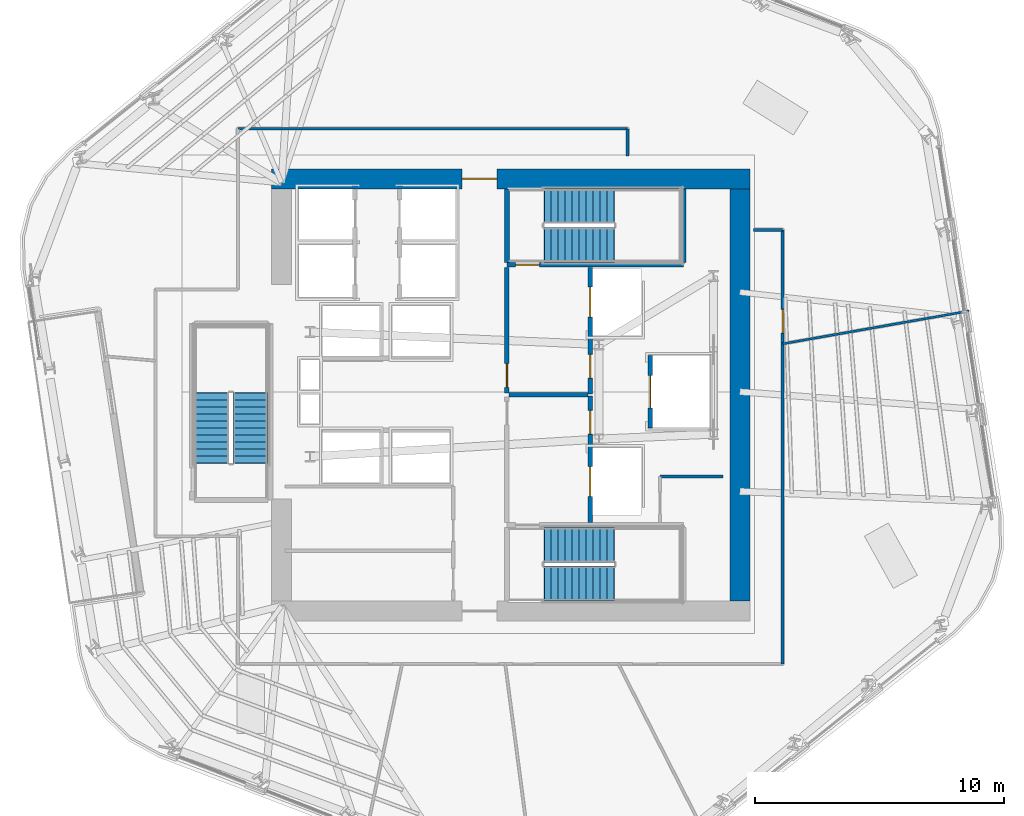
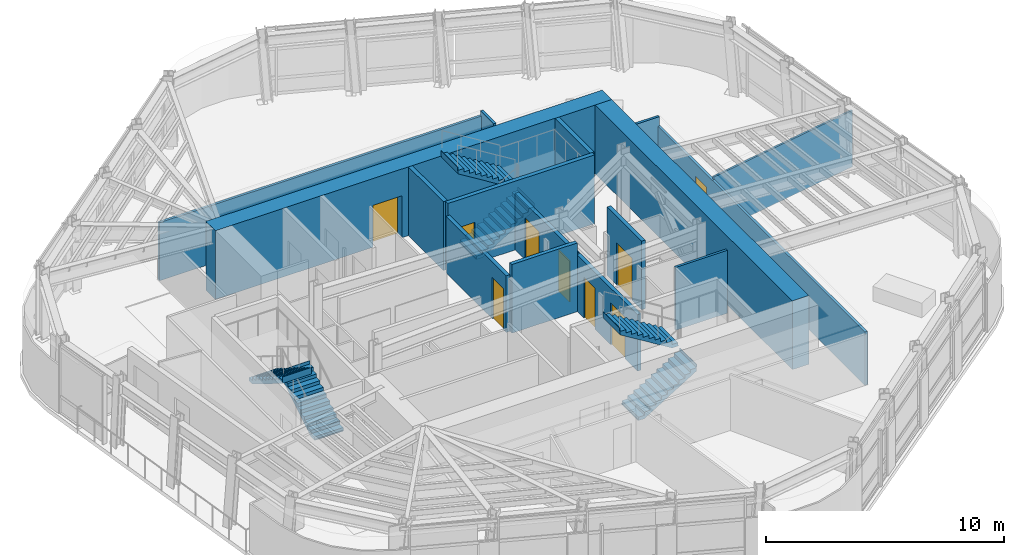
# One storey, part 9 of 15: 16 walls, 9 doors, 6 stair flights, 9 openings, 3 elements without a shape of their own.
"""IFC4 building model written with IfcOpenShell, lengths in metres."""

from ifc_helpers import new_model, si_unit, direction, frame, frame_2d, origin, place, context, subcontext, project, spatial, polyline, rectangle, outline, extrude, material, layer, layer_set, type_object, element, fill, aggregate, save


model = new_model("IFC4")

# Units and contexts
model_context = context("Model", 3, precision=1e-05, world=origin(), true_north=direction((0.0, 1.0)))
body_context = subcontext(model_context, "Body", "Model", "MODEL_VIEW")
ifc_project = project(units=[si_unit("LENGTHUNIT", "METRE"), si_unit("AREAUNIT", "SQUARE_METRE"), si_unit("VOLUMEUNIT", "CUBIC_METRE"), si_unit("PLANEANGLEUNIT", "RADIAN"), si_unit("MASSUNIT", "GRAM", prefix="KILO")], contexts=[model_context])

# Site, building, storey
site_placement = place(None, origin())
site = spatial("IfcSite", under=ifc_project, at=site_placement, CompositionType="ELEMENT")
building_placement = place(site_placement, origin())
building = spatial("IfcBuilding", under=site, at=building_placement, Name="Valkerne Bourse Tower", CompositionType="ELEMENT")
storey_placement = place(building_placement, frame((0.0, 0.0, 189.39990234375)))
storey = spatial("IfcBuildingStorey", under=building, at=storey_placement, Name="L48", CompositionType="ELEMENT", Elevation=189.39990234375)

# Wall, opening, door
ifc_material_1 = material(Name="Concrete C55/67", Category="concrete")
ifc_layer_1 = layer(ifc_material_1, 0.800048828125)
ifc_layer_set_1 = layer_set([ifc_layer_1], Name="Concrete C55/67")
wall_type_1 = type_object("IfcWallType", Name="W-CORE-800", PredefinedType="SHEAR", material=ifc_layer_set_1)
wall_1_placement = place(storey_placement, frame((37.199951171875, 35.550048828125, 0.0), z_axis=(0.0, 0.0, 1.0), x_axis=(1.0, 0.0, 0.0)))
wall_1 = element("IfcWall", 1, at=wall_1_placement, inside=storey, type_object=wall_type_1, Name="L48 Core Shear Wall NORTH", PredefinedType="SHEAR", context=body_context, shape_type="SweptSolid", body=[
    extrude(rectangle(XDim=19.199951171875, YDim=0.800048828125, at=frame_2d((9.60009765625, 0.0))), origin(), (0.0, 0.0, 1.0), 3.52001953125),
])
opening_1_placement = place(wall_1_placement, frame((7.64990234375, 0.0, 0.0)))
opening_1 = element("IfcOpeningElement", 2, at=opening_1_placement, cuts=wall_1, Name="Opening D-PL-1400", PredefinedType="OPENING", context=body_context, shape_type="SweptSolid", body=[
    extrude(rectangle(XDim=1.39990234375, YDim=2.14990234375, at=frame_2d((0.699951171875, 1.074951171875))), frame((0.0, 0.409912109375, 0.0), z_axis=(0.0, -1.0, 0.0), x_axis=(1.0, 0.0, 0.0)), (0.0, 0.0, 1.0), 0.820068359375),
])
ifc_material_2 = material(Name="Galvanised Painted Steel", Category="steel")
door_type_1 = type_object("IfcDoorType", Name="DR-PLT-1400", OperationType="DOUBLE_DOOR_SINGLE_SWING", PredefinedType="DOOR", material=ifc_material_2)
door_1_placement = place(opening_1_placement, origin())
door_1 = element("IfcDoor", 3, at=door_1_placement, inside=storey, type_object=door_type_1, Name="L48 North Passenger Lift Hall Fire Door", OperationType="DOUBLE_DOOR_SINGLE_SWING", OverallHeight=2.14990234375, OverallWidth=1.39990234375, PredefinedType="DOOR", context=body_context, shape_type="SweptSolid", body=[
    extrude(rectangle(XDim=1.39990234375, YDim=2.14990234375, at=frame_2d((0.699951171875, 1.074951171875))), frame((0.0, 0.02490234375, 0.0), z_axis=(0.0, -1.0, 0.0), x_axis=(1.0, 0.0, 0.0)), (0.0, 0.0, 1.0), 0.050048828125),
])
fill(opening_1, door_1)

# Walls
wall_2_placement = place(storey_placement, frame((56.0, 18.60009765625, 0.0), z_axis=(0.0, 0.0, 1.0), x_axis=(0.0, 1.0, 0.0)))
element("IfcWall", 4, at=wall_2_placement, inside=storey, type_object=wall_type_1, Name="L48 Core Shear Wall EAST", PredefinedType="SHEAR", context=body_context, shape_type="SweptSolid", body=[
    extrude(rectangle(XDim=16.5498046875, YDim=0.800048828125, at=frame_2d((8.27490234375, 0.0))), origin(), (0.0, 0.0, 1.0), 3.52001953125),
])
ifc_material_3 = material(Name="Gypsum Board Steel-Stud Partition", Category="steel")
ifc_layer_2 = layer(ifc_material_3, 0.117919921875)
ifc_layer_set_2 = layer_set([ifc_layer_2], Name="Gypsum Board Steel-Stud Partition")
wall_type_2 = type_object("IfcWallType", Name="W-CORR-140", PredefinedType="PARTITIONING", material=ifc_layer_set_2)
wall_3_placement = place(storey_placement, frame((52.800048828125, 23.60009765625, 0.0), z_axis=(0.0, 0.0, 1.0), x_axis=(1.0, 0.0, 0.0)))
element("IfcWall", 5, at=wall_3_placement, inside=storey, type_object=wall_type_2, Name="L48 Core SE South-Bay North Wall", PredefinedType="PARTITIONING", context=body_context, shape_type="SweptSolid", body=[
    extrude(rectangle(XDim=2.52001953125, YDim=0.117919921875, at=frame_2d((1.260009765625, 0.0))), origin(), (0.0, 0.0, 1.0), 3.22021484375),
])
wall_4_placement = place(storey_placement, frame((35.85009765625, 37.56005859375, 0.0), z_axis=(0.0, 0.0, 1.0), x_axis=(1.0, 0.0, 0.0)))
element("IfcWall", 6, at=wall_4_placement, inside=storey, type_object=wall_type_2, Name="L48 Corridor Enclosure Wall", PredefinedType="PARTITIONING", context=body_context, shape_type="SweptSolid", body=[
    extrude(rectangle(XDim=15.64990234375, YDim=0.117919921875, at=frame_2d((7.824951171875, 0.0))), origin(), (0.0, 0.0, 1.0), 2.976806640625),
])
wall_5_placement = place(storey_placement, frame((51.5, 37.56005859375, 0.0), z_axis=(0.0, 0.0, 1.0), x_axis=(0.0, -1.0, 0.0)))
element("IfcWall", 7, at=wall_5_placement, inside=storey, type_object=wall_type_2, Name="L48 Corridor Enclosure Wall", PredefinedType="PARTITIONING", context=body_context, shape_type="SweptSolid", body=[
    extrude(rectangle(XDim=1.10009765625, YDim=0.117919921875, at=frame_2d((0.550048828125, 0.0))), origin(), (0.0, 0.0, 1.0), 3.22021484375),
])
wall_6_placement = place(storey_placement, frame((56.56005859375, 33.5, 0.0), z_axis=(0.0, 0.0, 1.0), x_axis=(1.0, 0.0, 0.0)))
element("IfcWall", 8, at=wall_6_placement, inside=storey, type_object=wall_type_2, Name="L48 Corridor Enclosure Wall", PredefinedType="PARTITIONING", context=body_context, shape_type="SweptSolid", body=[
    extrude(rectangle(XDim=1.159912109375, YDim=0.117919921875, at=frame_2d((0.580078125, 0.0))), origin(), (0.0, 0.0, 1.0), 3.22021484375),
])

# Wall, opening, door
wall_7_placement = place(storey_placement, frame((57.719970703125, 33.5, 0.0), z_axis=(0.0, 0.0, 1.0), x_axis=(0.0, -1.0, 0.0)))
wall_7 = element("IfcWall", 9, at=wall_7_placement, inside=storey, type_object=wall_type_2, Name="L48 Corridor Enclosure Wall", PredefinedType="PARTITIONING", context=body_context, shape_type="SweptSolid", body=[
    extrude(rectangle(XDim=17.419921875, YDim=0.117919921875, at=frame_2d((8.7099609375, 0.0))), origin(), (0.0, 0.0, 1.0), 2.740478515625),
])
opening_2_placement = place(wall_7_placement, frame((3.195068359375, 0.0, 0.0)))
opening_2 = element("IfcOpeningElement", 10, at=opening_2_placement, cuts=wall_7, Name="Opening D-OF-950", PredefinedType="OPENING", context=body_context, shape_type="SweptSolid", body=[
    extrude(rectangle(XDim=0.949951171875, YDim=2.10009765625, at=frame_2d((0.47509765625, 1.050048828125))), frame((0.0, 0.06884765625, 0.0), z_axis=(0.0, -1.0, 0.0), x_axis=(1.0, 0.0, 0.0)), (0.0, 0.0, 1.0), 0.137939453125),
])
ifc_material_4 = material(Name="Architectural White Oak Timber", Category="wood")
door_type_2 = type_object("IfcDoorType", Name="DR-OFF-950", OperationType="NOTDEFINED", PredefinedType="DOOR", material=ifc_material_4)
door_2_placement = place(opening_2_placement, origin())
door_2 = element("IfcDoor", 11, at=door_2_placement, inside=storey, type_object=door_type_2, Name="L48 L48 Executive Economics Study Room 5 Door", OperationType="SINGLE_SWING_LEFT", OverallHeight=2.10009765625, OverallWidth=0.949951171875, PredefinedType="DOOR", context=body_context, shape_type="SweptSolid", body=[
    extrude(rectangle(XDim=0.949951171875, YDim=2.10009765625, at=frame_2d((0.47509765625, 1.050048828125))), frame((0.0, 0.02490234375, 0.0), z_axis=(0.0, -1.0, 0.0), x_axis=(1.0, 0.0, 0.0)), (0.0, 0.0, 1.0), 0.050048828125),
])
fill(opening_2, door_2)

# Wall
ifc_material_5 = material(Name="Gypsum Fire-Rated Shaftwall", Category="gypsum")
ifc_layer_3 = layer(ifc_material_5, 0.179931640625)
ifc_layer_set_3 = layer_set([ifc_layer_3], Name="Gypsum Fire-Rated Shaftwall")
wall_type_3 = type_object("IfcWallType", Name="W-FSAE-180", PredefinedType="PARTITIONING", material=ifc_layer_set_3)
wall_8_placement = place(storey_placement, frame((46.739990234375, 26.8798828125, 0.0), z_axis=(0.0, 0.0, 1.0), x_axis=(1.0, 0.0, 0.0)))
element("IfcWall", 12, at=wall_8_placement, inside=storey, type_object=wall_type_3, Name="L48 FSAE-1/2 Lobby Dividing Fire Wall", PredefinedType="PARTITIONING", context=body_context, shape_type="SweptSolid", body=[
    extrude(rectangle(XDim=3.169921875, YDim=0.179931640625, at=frame_2d((1.5849609375, 0.0))), origin(), (0.0, 0.0, 1.0), 3.52001953125),
])

# Wall, opening, door
wall_9_placement = place(storey_placement, frame((46.64990234375, 26.9599609375, 0.0), z_axis=(0.0, 0.0, 1.0), x_axis=(0.0, 1.0, 0.0)))
wall_9 = element("IfcWall", 13, at=wall_9_placement, inside=storey, type_object=wall_type_3, Name="L48 FSAE-2 Lobby West Fire Wall", PredefinedType="PARTITIONING", context=body_context, shape_type="SweptSolid", body=[
    extrude(rectangle(XDim=5.0400390625, YDim=0.179931640625, at=frame_2d((2.52001953125, 0.0))), origin(), (0.0, 0.0, 1.0), 2.89794921875),
])
opening_3_placement = place(wall_9_placement, frame((0.219970703125, 0.0, 0.0)))
opening_3 = element("IfcOpeningElement", 14, at=opening_3_placement, cuts=wall_9, Name="Opening D-FS-950", PredefinedType="OPENING", context=body_context, shape_type="SweptSolid", body=[
    extrude(rectangle(XDim=0.949951171875, YDim=2.10009765625, at=frame_2d((0.47509765625, 1.050048828125))), frame((0.0, 0.099853515625, 0.0), z_axis=(0.0, -1.0, 0.0), x_axis=(1.0, 0.0, 0.0)), (0.0, 0.0, 1.0), 0.199951171875),
])
door_type_3 = type_object("IfcDoorType", Name="DR-FSAE-950", OperationType="NOTDEFINED", PredefinedType="DOOR", material=ifc_material_2)
door_3_placement = place(opening_3_placement, origin())
door_3 = element("IfcDoor", 15, at=door_3_placement, inside=storey, type_object=door_type_3, Name="L48 FSAE-2 Hall Link Fire Door", OperationType="SINGLE_SWING_RIGHT", OverallHeight=2.10009765625, OverallWidth=0.949951171875, PredefinedType="DOOR", context=body_context, shape_type="SweptSolid", body=[
    extrude(rectangle(XDim=0.949951171875, YDim=2.10009765625, at=frame_2d((0.47509765625, 1.050048828125))), frame((0.0, 0.02490234375, 0.0), z_axis=(0.0, -1.0, 0.0), x_axis=(1.0, 0.0, 0.0)), (0.0, 0.0, 1.0), 0.050048828125),
])
fill(opening_3, door_3)

# Wall, openings, doors
wall_10_placement = place(storey_placement, frame((50.0, 21.75, 0.0), z_axis=(0.0, 0.0, 1.0), x_axis=(0.0, 1.0, 0.0)))
wall_10 = element("IfcWall", 16, at=wall_10_placement, inside=storey, type_object=wall_type_3, Name="L48 FSAE-1 Lobby & Shaft Front Wall", PredefinedType="PARTITIONING", context=body_context, shape_type="SweptSolid", body=[
    extrude(rectangle(XDim=5.090087890625, YDim=0.179931640625, at=frame_2d((2.544921875, 0.0))), origin(), (0.0, 0.0, 1.0), 2.89794921875),
])
opening_4_placement = place(wall_10_placement, frame((1.050048828125, 0.0, 0.0)))
opening_4 = element("IfcOpeningElement", 17, at=opening_4_placement, cuts=wall_10, Name="Opening LD-1200", PredefinedType="OPENING", context=body_context, shape_type="SweptSolid", body=[
    extrude(rectangle(XDim=1.199951171875, YDim=2.14990234375, at=frame_2d((0.60009765625, 1.074951171875))), frame((0.0, 0.099853515625, 0.0), z_axis=(0.0, -1.0, 0.0), x_axis=(1.0, 0.0, 0.0)), (0.0, 0.0, 1.0), 0.199951171875),
])
opening_5_placement = place(wall_10_placement, frame((3.550048828125, 0.0, 0.0)))
opening_5 = element("IfcOpeningElement", 18, at=opening_5_placement, cuts=wall_10, Name="Opening D-FS-950", PredefinedType="OPENING", context=body_context, shape_type="SweptSolid", body=[
    extrude(rectangle(XDim=0.949951171875, YDim=2.10009765625, at=frame_2d((0.47509765625, 1.050048828125))), frame((0.0, 0.099853515625, 0.0), z_axis=(0.0, -1.0, 0.0), x_axis=(1.0, 0.0, 0.0)), (0.0, 0.0, 1.0), 0.199951171875),
])
door_4_placement = place(opening_5_placement, origin())
door_4 = element("IfcDoor", 19, at=door_4_placement, inside=storey, type_object=door_type_3, Name="L48 FSAE-1 Lobby Corridor Fire Door", OperationType="SINGLE_SWING_RIGHT", OverallHeight=2.10009765625, OverallWidth=0.949951171875, PredefinedType="DOOR", context=body_context, shape_type="SweptSolid", body=[
    extrude(rectangle(XDim=0.949951171875, YDim=2.10009765625, at=frame_2d((0.47509765625, 1.050048828125))), frame((0.0, 0.02490234375, 0.0), z_axis=(0.0, -1.0, 0.0), x_axis=(1.0, 0.0, 0.0)), (0.0, 0.0, 1.0), 0.050048828125),
])
fill(opening_5, door_4)
ifc_material_6 = material(Name="Stainless Steel AISI 316", Category="steel")
door_type_4 = type_object("IfcDoorType", Name="DR-LIFT-1200", OperationType="DOUBLE_DOOR_SLIDING", PredefinedType="DOOR", material=ifc_material_6)
door_5_placement = place(opening_4_placement, origin())
door_5 = element("IfcDoor", 20, at=door_5_placement, inside=storey, type_object=door_type_4, Name="L48 FSAE-1 Firefighting Lift Landing Door", OperationType="DOUBLE_DOOR_SLIDING", OverallHeight=2.14990234375, OverallWidth=1.199951171875, PredefinedType="DOOR", context=body_context, shape_type="SweptSolid", body=[
    extrude(rectangle(XDim=1.199951171875, YDim=2.14990234375, at=frame_2d((0.60009765625, 1.074951171875))), frame((0.0, 0.02490234375, 0.0), z_axis=(0.0, -1.0, 0.0), x_axis=(1.0, 0.0, 0.0)), (0.0, 0.0, 1.0), 0.050048828125),
])
fill(opening_4, door_5)

wall_11_placement = place(storey_placement, frame((50.0, 26.919921875, 0.0), z_axis=(0.0, 0.0, 1.0), x_axis=(0.0, 1.0, 0.0)))
wall_11 = element("IfcWall", 21, at=wall_11_placement, inside=storey, type_object=wall_type_3, Name="L48 FSAE-2 Lobby & Shaft Front Wall", PredefinedType="PARTITIONING", context=body_context, shape_type="SweptSolid", body=[
    extrude(rectangle(XDim=5.080078125, YDim=0.179931640625, at=frame_2d((2.5400390625, 0.0))), origin(), (0.0, 0.0, 1.0), 2.89794921875),
])
opening_6_placement = place(wall_11_placement, frame((3.080078125, 0.0, 0.0)))
opening_6 = element("IfcOpeningElement", 22, at=opening_6_placement, cuts=wall_11, Name="Opening LD-1200", PredefinedType="OPENING", context=body_context, shape_type="SweptSolid", body=[
    extrude(rectangle(XDim=1.199951171875, YDim=2.14990234375, at=frame_2d((0.60009765625, 1.074951171875))), frame((0.0, 0.099853515625, 0.0), z_axis=(0.0, -1.0, 0.0), x_axis=(1.0, 0.0, 0.0)), (0.0, 0.0, 1.0), 0.199951171875),
])
opening_7_placement = place(wall_11_placement, frame((0.6298828125, 0.0, 0.0)))
opening_7 = element("IfcOpeningElement", 23, at=opening_7_placement, cuts=wall_11, Name="Opening D-FS-950", PredefinedType="OPENING", context=body_context, shape_type="SweptSolid", body=[
    extrude(rectangle(XDim=0.949951171875, YDim=2.10009765625, at=frame_2d((0.47509765625, 1.050048828125))), frame((0.0, 0.099853515625, 0.0), z_axis=(0.0, -1.0, 0.0), x_axis=(1.0, 0.0, 0.0)), (0.0, 0.0, 1.0), 0.199951171875),
])
door_6_placement = place(opening_7_placement, origin())
door_6 = element("IfcDoor", 24, at=door_6_placement, inside=storey, type_object=door_type_3, Name="L48 FSAE-2 Lobby Corridor Fire Door", OperationType="SINGLE_SWING_RIGHT", OverallHeight=2.10009765625, OverallWidth=0.949951171875, PredefinedType="DOOR", context=body_context, shape_type="SweptSolid", body=[
    extrude(rectangle(XDim=0.949951171875, YDim=2.10009765625, at=frame_2d((0.47509765625, 1.050048828125))), frame((0.0, 0.02490234375, 0.0), z_axis=(0.0, -1.0, 0.0), x_axis=(1.0, 0.0, 0.0)), (0.0, 0.0, 1.0), 0.050048828125),
])
fill(opening_7, door_6)
door_7_placement = place(opening_6_placement, origin())
door_7 = element("IfcDoor", 25, at=door_7_placement, inside=storey, type_object=door_type_4, Name="L48 FSAE-2 Firefighting Lift Landing Door", OperationType="DOUBLE_DOOR_SLIDING", OverallHeight=2.14990234375, OverallWidth=1.199951171875, PredefinedType="DOOR", context=body_context, shape_type="SweptSolid", body=[
    extrude(rectangle(XDim=1.199951171875, YDim=2.14990234375, at=frame_2d((0.60009765625, 1.074951171875))), frame((0.0, 0.02490234375, 0.0), z_axis=(0.0, -1.0, 0.0), x_axis=(1.0, 0.0, 0.0)), (0.0, 0.0, 1.0), 0.050048828125),
])
fill(opening_6, door_7)

# Wall, opening, door
ifc_material_7 = material(Name="CMU Blockwork Masonry 200mm", Category="masonry")
ifc_layer_4 = layer(ifc_material_7, 0.179931640625)
ifc_layer_set_4 = layer_set([ifc_layer_4], Name="CMU Blockwork Masonry 200mm")
wall_type_4 = type_object("IfcWallType", Name="W-LFT-180", PredefinedType="SOLIDWALL", material=ifc_layer_set_4)
wall_12_placement = place(storey_placement, frame((52.39990234375, 25.550048828125, 0.0), z_axis=(0.0, 0.0, 1.0), x_axis=(0.0, 1.0, 0.0)))
wall_12 = element("IfcWall", 26, at=wall_12_placement, inside=storey, type_object=wall_type_4, Name="L48 Service Lift SV-1 Front Wall", PredefinedType="SOLIDWALL", context=body_context, shape_type="SweptSolid", body=[
    extrude(rectangle(XDim=2.89990234375, YDim=0.179931640625, at=frame_2d((1.449951171875, 0.0))), origin(), (0.0, 0.0, 1.0), 3.52001953125),
])
opening_8_placement = place(wall_12_placement, frame((0.800048828125, 0.0, 0.0)))
opening_8 = element("IfcOpeningElement", 27, at=opening_8_placement, cuts=wall_12, Name="Opening LD-1300", PredefinedType="OPENING", context=body_context, shape_type="SweptSolid", body=[
    extrude(rectangle(XDim=1.300048828125, YDim=2.14990234375, at=frame_2d((0.64990234375, 1.074951171875))), frame((0.0, 0.099853515625, 0.0), z_axis=(0.0, -1.0, 0.0), x_axis=(1.0, 0.0, 0.0)), (0.0, 0.0, 1.0), 0.199951171875),
])
door_type_5 = type_object("IfcDoorType", Name="DR-LIFT-1300", OperationType="DOUBLE_DOOR_SLIDING", PredefinedType="DOOR", material=ifc_material_6)
door_8_placement = place(opening_8_placement, origin())
door_8 = element("IfcDoor", 28, at=door_8_placement, inside=storey, type_object=door_type_5, Name="L48 Service Lift SV-1 Landing Door", OperationType="DOUBLE_DOOR_SLIDING", OverallHeight=2.14990234375, OverallWidth=1.300048828125, PredefinedType="DOOR", context=body_context, shape_type="SweptSolid", body=[
    extrude(rectangle(XDim=1.300048828125, YDim=2.14990234375, at=frame_2d((0.64990234375, 1.074951171875))), frame((0.0, 0.02490234375, 0.0), z_axis=(0.0, -1.0, 0.0), x_axis=(1.0, 0.0, 0.0)), (0.0, 0.0, 1.0), 0.050048828125),
])
fill(opening_8, door_8)

# Wall
ifc_layer_5 = layer(ifc_material_3, 0.092041015625)
ifc_layer_set_5 = layer_set([ifc_layer_5], Name="Gypsum Board Steel-Stud Partition")
wall_type_5 = type_object("IfcWallType", Name="W-PART-115", PredefinedType="PARTITIONING", material=ifc_layer_set_5)
wall_13_placement = place(storey_placement, frame((57.72509765625, 28.926513671875, 0.0), z_axis=(0.0, 0.0, 1.0), x_axis=(0.984812993512, 0.173618454692, 0.0)))
element("IfcWall", 29, at=wall_13_placement, inside=storey, type_object=wall_type_5, Name="L48 Suite Partition P04", PredefinedType="PARTITIONING", context=body_context, shape_type="SweptSolid", body=[
    extrude(rectangle(XDim=7.5947265625, YDim=0.092041015625, at=frame_2d((3.79736328125, 0.0))), origin(), (0.0, 0.0, 1.0), 2.8828125),
])

# Wall, opening, door
ifc_material_8 = material(Name="Concrete C40/50", Category="concrete")
ifc_layer_6 = layer(ifc_material_8, 0.199951171875)
ifc_layer_set_6 = layer_set([ifc_layer_6], Name="Concrete C40/50")
wall_type_6 = type_object("IfcWallType", Name="W-SHF-200", PredefinedType="SHEAR", material=ifc_layer_set_6)
wall_14_placement = place(storey_placement, frame((46.64990234375, 32.10009765625, 0.0), z_axis=(0.0, 0.0, 1.0), x_axis=(1.0, 0.0, 0.0)))
wall_14 = element("IfcWall", 30, at=wall_14_placement, inside=storey, type_object=wall_type_6, Name="L48 Exit Stair ST-2 Structural Shaft Wall South", PredefinedType="SHEAR", context=body_context, shape_type="SweptSolid", body=[
    extrude(rectangle(XDim=7.10009765625, YDim=0.199951171875, at=frame_2d((3.550048828125, 0.0))), origin(), (0.0, 0.0, 1.0), 3.52001953125),
])
opening_9_placement = place(wall_14_placement, frame((0.35009765625, 0.0, 0.0)))
opening_9 = element("IfcOpeningElement", 31, at=opening_9_placement, cuts=wall_14, Name="Opening D-ST-950", PredefinedType="OPENING", context=body_context, shape_type="SweptSolid", body=[
    extrude(rectangle(XDim=0.949951171875, YDim=2.10009765625, at=frame_2d((0.47509765625, 1.050048828125))), frame((0.0, 0.10986328125, 0.0), z_axis=(0.0, -1.0, 0.0), x_axis=(1.0, 0.0, 0.0)), (0.0, 0.0, 1.0), 0.219970703125),
])
door_type_6 = type_object("IfcDoorType", Name="DR-STAIR-950", OperationType="NOTDEFINED", PredefinedType="DOOR", material=ifc_material_2)
door_9_placement = place(opening_9_placement, origin())
door_9 = element("IfcDoor", 32, at=door_9_placement, inside=storey, type_object=door_type_6, Name="L48 Exit Stair ST-2 Door", OperationType="SINGLE_SWING_RIGHT", OverallHeight=2.10009765625, OverallWidth=0.949951171875, PredefinedType="DOOR", context=body_context, shape_type="SweptSolid", body=[
    extrude(rectangle(XDim=0.949951171875, YDim=2.10009765625, at=frame_2d((0.47509765625, 1.050048828125))), frame((0.0, 0.02490234375, 0.0), z_axis=(0.0, -1.0, 0.0), x_axis=(1.0, 0.0, 0.0)), (0.0, 0.0, 1.0), 0.050048828125),
])
fill(opening_9, door_9)

# Walls
for number, where, z_axis, x_axis, name in (
    (33, (46.64990234375, 32.199951171875, 0.0), (0.0, 0.0, 1.0), (0.0, 1.0, 0.0), "L48 Exit Stair ST-2 Structural Shaft Wall West"),
    (34, (53.75, 32.199951171875, 0.0), (0.0, 0.0, 1.0), (0.0, 1.0, 0.0), "L48 Exit Stair ST-2 Structural Shaft Wall East"),
):
    element("IfcWall", number, at=place(storey_placement, frame(where, z_axis=z_axis, x_axis=x_axis)), inside=storey, type_object=wall_type_6, Name=name, PredefinedType="SHEAR", context=body_context, shape_type="SweptSolid", body=[
        extrude(rectangle(XDim=2.949951171875, YDim=0.199951171875, at=frame_2d((1.47509765625, 0.0))), origin(), (0.0, 0.0, 1.0), 3.52001953125),
    ])

# Stair, stair flights
stair_type = type_object("IfcStairType", Name="ST-CORE-1400", PredefinedType="HALF_TURN_STAIR", material=ifc_material_8)
stair_1_placement = place(storey_placement, origin())
stair_1 = element("IfcStair", 35, at=stair_1_placement, inside=storey, type_object=stair_type, Name="L48 ST-1", PredefinedType="HALF_TURN_STAIR")
stair_flight_type = type_object("IfcStairFlightType", Name="STF-CORE-1400", PredefinedType="STRAIGHT", material=ifc_material_8)
stair_flight_1_placement = place(storey_placement, frame((48.14990234375, 19.300048828125, 0.0), z_axis=(0.0, 0.0, 1.0), x_axis=(1.0, 0.0, 0.0)))
stair_flight_1 = element("IfcStairFlight", 36, at=stair_flight_1_placement, type_object=stair_flight_type, Name="ST-1 flight 1", NumberOfRisers=11, NumberOfTreads=10, PredefinedType="STRAIGHT", RiserHeight=0.172727273, TreadLength=0.28, context=body_context, shape_type="SweptSolid", body=[
    extrude(outline(polyline([(-0.02001953125, 0.0), (-0.02001953125, 0.044921875), (0.0, 0.044921875), (0.0, 0.172607421875), (0.280029296875, 0.172607421875), (0.280029296875, 0.345458984375), (0.56005859375, 0.345458984375), (0.56005859375, 0.51806640625), (0.840087890625, 0.51806640625), (0.840087890625, 0.69091796875), (1.1201171875, 0.69091796875), (1.1201171875, 0.863525390625), (1.39990234375, 0.863525390625), (1.39990234375, 1.036376953125), (1.679931640625, 1.036376953125), (1.679931640625, 1.208984375), (1.9599609375, 1.208984375), (1.9599609375, 1.3818359375), (2.239990234375, 1.3818359375), (2.239990234375, 1.554443359375), (2.52001953125, 1.554443359375), (2.52001953125, 1.727294921875), (2.800048828125, 1.727294921875), (2.800048828125, 1.89990234375), (2.820068359375, 1.89990234375), (2.820068359375, 1.780029296875), (2.800048828125, 1.551025390625), (0.285400390625, 0.0), (-0.02001953125, 0.0)])), frame((0.0, 0.699951171875, 0.0), z_axis=(0.0, -1.0, 0.0), x_axis=(1.0, 0.0, 0.0)), (0.0, 0.0, 1.0), 1.39990234375),
])
stair_flight_2_placement = place(storey_placement, frame((50.949951171875, 20.85009765625, 1.900146484375), z_axis=(0.0, 0.0, 1.0), x_axis=(-1.0, 0.0, 0.0)))
stair_flight_2 = element("IfcStairFlight", 37, at=stair_flight_2_placement, type_object=stair_flight_type, Name="ST-1 flight 2", NumberOfRisers=11, NumberOfTreads=10, PredefinedType="STRAIGHT", RiserHeight=0.172727273, TreadLength=0.28, context=body_context, shape_type="SweptSolid", body=[
    extrude(outline(polyline([(-0.02001953125, 0.0), (-0.02001953125, 0.044921875), (0.0, 0.044921875), (0.0, 0.172607421875), (0.280029296875, 0.172607421875), (0.280029296875, 0.345458984375), (0.56005859375, 0.345458984375), (0.56005859375, 0.51806640625), (0.840087890625, 0.51806640625), (0.840087890625, 0.69091796875), (1.1201171875, 0.69091796875), (1.1201171875, 0.863525390625), (1.39990234375, 0.863525390625), (1.39990234375, 1.036376953125), (1.679931640625, 1.036376953125), (1.679931640625, 1.208984375), (1.9599609375, 1.208984375), (1.9599609375, 1.3818359375), (2.239990234375, 1.3818359375), (2.239990234375, 1.554443359375), (2.52001953125, 1.554443359375), (2.52001953125, 1.727294921875), (2.800048828125, 1.727294921875), (2.800048828125, 1.89990234375), (2.820068359375, 1.89990234375), (2.820068359375, 1.780029296875), (2.800048828125, 1.551025390625), (0.285400390625, 0.0), (-0.02001953125, 0.0)])), frame((0.0, 0.699951171875, 0.0), z_axis=(0.0, -1.0, 0.0), x_axis=(1.0, 0.0, 0.0)), (0.0, 0.0, 1.0), 1.39990234375),
])
aggregate(stair_1, [stair_flight_1, stair_flight_2])

stair_2_placement = place(storey_placement, origin())
stair_2 = element("IfcStair", 38, at=stair_2_placement, inside=storey, type_object=stair_type, Name="L48 ST-2", PredefinedType="HALF_TURN_STAIR")
stair_flight_3_placement = place(storey_placement, frame((48.14990234375, 32.89990234375, 0.0), z_axis=(0.0, 0.0, 1.0), x_axis=(1.0, 0.0, 0.0)))
stair_flight_3 = element("IfcStairFlight", 39, at=stair_flight_3_placement, type_object=stair_flight_type, Name="ST-2 flight 1", NumberOfRisers=11, NumberOfTreads=10, PredefinedType="STRAIGHT", RiserHeight=0.172727273, TreadLength=0.28, context=body_context, shape_type="SweptSolid", body=[
    extrude(outline(polyline([(-0.02001953125, 0.0), (-0.02001953125, 0.044921875), (0.0, 0.044921875), (0.0, 0.172607421875), (0.280029296875, 0.172607421875), (0.280029296875, 0.345458984375), (0.56005859375, 0.345458984375), (0.56005859375, 0.51806640625), (0.840087890625, 0.51806640625), (0.840087890625, 0.69091796875), (1.1201171875, 0.69091796875), (1.1201171875, 0.863525390625), (1.39990234375, 0.863525390625), (1.39990234375, 1.036376953125), (1.679931640625, 1.036376953125), (1.679931640625, 1.208984375), (1.9599609375, 1.208984375), (1.9599609375, 1.3818359375), (2.239990234375, 1.3818359375), (2.239990234375, 1.554443359375), (2.52001953125, 1.554443359375), (2.52001953125, 1.727294921875), (2.800048828125, 1.727294921875), (2.800048828125, 1.89990234375), (2.820068359375, 1.89990234375), (2.820068359375, 1.780029296875), (2.800048828125, 1.551025390625), (0.285400390625, 0.0), (-0.02001953125, 0.0)])), frame((0.0, 0.699951171875, 0.0), z_axis=(0.0, -1.0, 0.0), x_axis=(1.0, 0.0, 0.0)), (0.0, 0.0, 1.0), 1.39990234375),
])
stair_flight_4_placement = place(storey_placement, frame((50.949951171875, 34.449951171875, 1.900146484375), z_axis=(0.0, 0.0, 1.0), x_axis=(-1.0, 0.0, 0.0)))
stair_flight_4 = element("IfcStairFlight", 40, at=stair_flight_4_placement, type_object=stair_flight_type, Name="ST-2 flight 2", NumberOfRisers=11, NumberOfTreads=10, PredefinedType="STRAIGHT", RiserHeight=0.172727273, TreadLength=0.28, context=body_context, shape_type="SweptSolid", body=[
    extrude(outline(polyline([(-0.02001953125, 0.0), (-0.02001953125, 0.044921875), (0.0, 0.044921875), (0.0, 0.172607421875), (0.280029296875, 0.172607421875), (0.280029296875, 0.345458984375), (0.56005859375, 0.345458984375), (0.56005859375, 0.51806640625), (0.840087890625, 0.51806640625), (0.840087890625, 0.69091796875), (1.1201171875, 0.69091796875), (1.1201171875, 0.863525390625), (1.39990234375, 0.863525390625), (1.39990234375, 1.036376953125), (1.679931640625, 1.036376953125), (1.679931640625, 1.208984375), (1.9599609375, 1.208984375), (1.9599609375, 1.3818359375), (2.239990234375, 1.3818359375), (2.239990234375, 1.554443359375), (2.52001953125, 1.554443359375), (2.52001953125, 1.727294921875), (2.800048828125, 1.727294921875), (2.800048828125, 1.89990234375), (2.820068359375, 1.89990234375), (2.820068359375, 1.780029296875), (2.800048828125, 1.551025390625), (0.285400390625, 0.0), (-0.02001953125, 0.0)])), frame((0.0, 0.699951171875, 0.0), z_axis=(0.0, -1.0, 0.0), x_axis=(1.0, 0.0, 0.0)), (0.0, 0.0, 1.0), 1.39990234375),
])
aggregate(stair_2, [stair_flight_3, stair_flight_4])

stair_3_placement = place(storey_placement, origin())
stair_3 = element("IfcStair", 41, at=stair_3_placement, inside=storey, type_object=stair_type, Name="L48 ST-3", PredefinedType="HALF_TURN_STAIR")
stair_flight_5_placement = place(storey_placement, frame((36.35009765625, 24.14990234375, 0.0), z_axis=(0.0, 0.0, 1.0), x_axis=(0.0, 1.0, 0.0)))
stair_flight_5 = element("IfcStairFlight", 42, at=stair_flight_5_placement, type_object=stair_flight_type, Name="ST-3 flight 1", NumberOfRisers=11, NumberOfTreads=10, PredefinedType="STRAIGHT", RiserHeight=0.172727273, TreadLength=0.28, context=body_context, shape_type="SweptSolid", body=[
    extrude(outline(polyline([(-0.02001953125, 0.0), (-0.02001953125, 0.044921875), (0.0, 0.044921875), (0.0, 0.172607421875), (0.280029296875, 0.172607421875), (0.280029296875, 0.345458984375), (0.56005859375, 0.345458984375), (0.56005859375, 0.51806640625), (0.840087890625, 0.51806640625), (0.840087890625, 0.69091796875), (1.1201171875, 0.69091796875), (1.1201171875, 0.863525390625), (1.39990234375, 0.863525390625), (1.39990234375, 1.036376953125), (1.679931640625, 1.036376953125), (1.679931640625, 1.208984375), (1.9599609375, 1.208984375), (1.9599609375, 1.3818359375), (2.239990234375, 1.3818359375), (2.239990234375, 1.554443359375), (2.52001953125, 1.554443359375), (2.52001953125, 1.727294921875), (2.800048828125, 1.727294921875), (2.800048828125, 1.89990234375), (2.820068359375, 1.89990234375), (2.820068359375, 1.780029296875), (2.800048828125, 1.551025390625), (0.285400390625, 0.0), (-0.02001953125, 0.0)])), frame((0.0, 0.699951171875, 0.0), z_axis=(0.0, -1.0, 0.0), x_axis=(1.0, 0.0, 0.0)), (0.0, 0.0, 1.0), 1.39990234375),
])
stair_flight_6_placement = place(storey_placement, frame((34.800048828125, 26.949951171875, 1.900146484375), z_axis=(0.0, 0.0, 1.0), x_axis=(0.0, -1.0, 0.0)))
stair_flight_6 = element("IfcStairFlight", 43, at=stair_flight_6_placement, type_object=stair_flight_type, Name="ST-3 flight 2", NumberOfRisers=11, NumberOfTreads=10, PredefinedType="STRAIGHT", RiserHeight=0.172727273, TreadLength=0.28, context=body_context, shape_type="SweptSolid", body=[
    extrude(outline(polyline([(-0.02001953125, 0.0), (-0.02001953125, 0.044921875), (0.0, 0.044921875), (0.0, 0.172607421875), (0.280029296875, 0.172607421875), (0.280029296875, 0.345458984375), (0.56005859375, 0.345458984375), (0.56005859375, 0.51806640625), (0.840087890625, 0.51806640625), (0.840087890625, 0.69091796875), (1.1201171875, 0.69091796875), (1.1201171875, 0.863525390625), (1.39990234375, 0.863525390625), (1.39990234375, 1.036376953125), (1.679931640625, 1.036376953125), (1.679931640625, 1.208984375), (1.9599609375, 1.208984375), (1.9599609375, 1.3818359375), (2.239990234375, 1.3818359375), (2.239990234375, 1.554443359375), (2.52001953125, 1.554443359375), (2.52001953125, 1.727294921875), (2.800048828125, 1.727294921875), (2.800048828125, 1.89990234375), (2.820068359375, 1.89990234375), (2.820068359375, 1.780029296875), (2.800048828125, 1.551025390625), (0.285400390625, 0.0), (-0.02001953125, 0.0)])), frame((0.0, 0.699951171875, 0.0), z_axis=(0.0, -1.0, 0.0), x_axis=(1.0, 0.0, 0.0)), (0.0, 0.0, 1.0), 1.39990234375),
])
aggregate(stair_3, [stair_flight_5, stair_flight_6])

save(model, "model.ifc")
